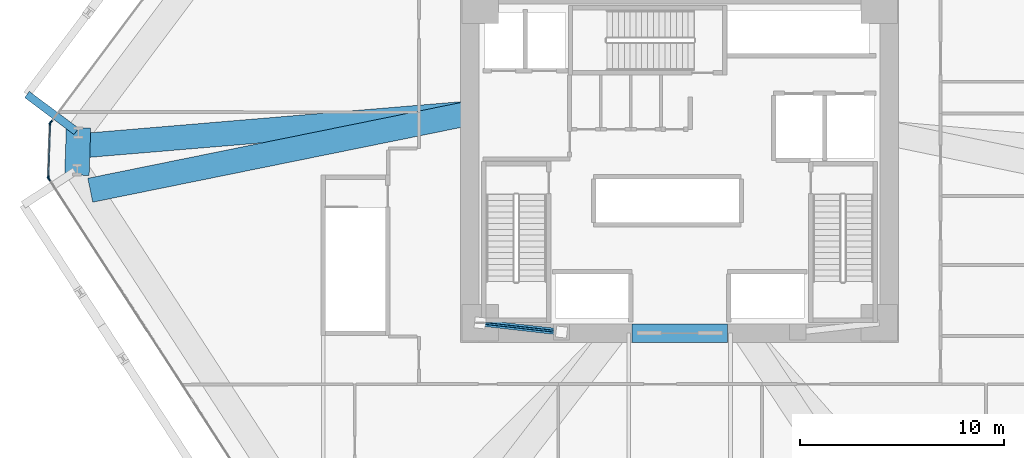
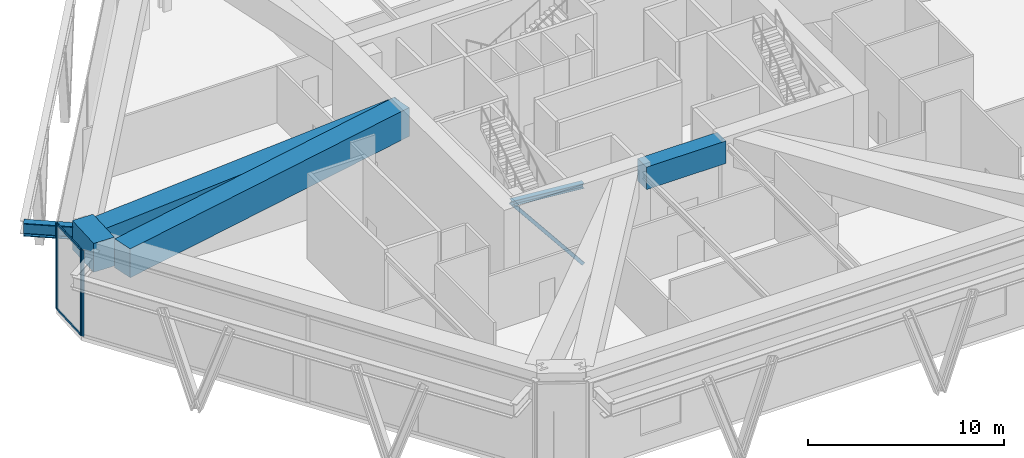
# One storey, part 4 of 19: 7 members, 6 beams, 3 elements without a shape of their own.
"""IFC4 building model written with IfcOpenShell, lengths in metres."""

from ifc_helpers import new_model, si_unit, direction, frame, origin, origin_2d, place, context, subcontext, project, spatial, rectangle, hollow_rectangle, i_section, extrude, source, transform, mapped, material, layer, layer_set, material_profile, profile_set, type_object, type_shapes, element, aggregate, save


model = new_model("IFC4")

# Units and contexts
model_context = context("Model", 3, precision=1e-05, world=origin(), true_north=direction((0.0, 1.0)))
body_context = subcontext(model_context, "Body", "Model", "MODEL_VIEW")
ifc_project = project(units=[si_unit("LENGTHUNIT", "METRE"), si_unit("AREAUNIT", "SQUARE_METRE"), si_unit("VOLUMEUNIT", "CUBIC_METRE"), si_unit("PLANEANGLEUNIT", "RADIAN"), si_unit("MASSUNIT", "GRAM", prefix="KILO")], contexts=[model_context])

# Site, building, storey
site_placement = place(None, origin())
site = spatial("IfcSite", under=ifc_project, at=site_placement, CompositionType="ELEMENT")
building_placement = place(site_placement, origin())
building = spatial("IfcBuilding", under=site, at=building_placement, Name="Durnholm Broadcast Tower", CompositionType="ELEMENT")
storey_placement = place(building_placement, frame((0.0, 0.0, 26.800048828125)))
storey = spatial("IfcBuildingStorey", under=building, at=storey_placement, Name="L05", CompositionType="ELEMENT", Elevation=26.800048828125)

# Beams
ifc_material_1 = material(Name="Concrete C70/85", Category="concrete")
ifc_material_profile_1 = material_profile(ifc_material_1, rectangle(XDim=0.89990234375, YDim=1.39990234375, at=origin_2d()), Name="RC900X1400")
ifc_profile_set_1 = profile_set([ifc_material_profile_1], Name="Concrete C70/85")
beam_type_1 = type_object("IfcBeamType", Name="BM-CB-RC1400", PredefinedType="LINTEL", material=ifc_profile_set_1)
shared_shape_1 = source(origin(), body_context, "Body", "SweptSolid", [
    extrude(rectangle(XDim=0.89990234375, YDim=1.39990234375, at=origin_2d()), origin(), (0.0, 0.0, 1.0), 4.7001953125),
])
type_shapes(beam_type_1, [shared_shape_1])
beam_1_placement = place(storey_placement, frame((-2.35009765625, -8.300048828125, 4.655029296875), z_axis=(1.0, 0.0, 0.0), x_axis=(0.0, 1.0, 0.0)))
element("IfcBeam", 1, at=beam_1_placement, inside=storey, type_object=beam_type_1, Name="L05 south core coupling lintel beam CB-S", PredefinedType="LINTEL", context=body_context, shape_type="MappedRepresentation", body=[
    mapped(shared_shape_1, transform((0.0, 0.0, 0.0), x_axis=(1.0, 0.0, 0.0), y_axis=(0.0, 1.0, 0.0), z_axis=(0.0, 0.0, 1.0), scale=1.0)),
])
ifc_material_2 = material(Name="Steel ASTM A992 Grade 50", Category="steel")
ifc_material_profile_2 = material_profile(ifc_material_2, i_section(OverallWidth=0.3046875, OverallDepth=0.307861328125, WebThickness=0.010009765625, FlangeThickness=0.015380859375, FilletRadius=0.019287109375, at=origin_2d()), Name="W12X65")
ifc_profile_set_2 = profile_set([ifc_material_profile_2], Name="Steel ASTM A992 Grade 50")
beam_type_2 = type_object("IfcBeamType", Name="STL-BL-W12X65", PredefinedType="LINTEL", material=ifc_profile_set_2)
shared_shape_2 = source(origin(), body_context, "Body", "SweptSolid", [
    extrude(i_section(OverallWidth=0.3046875, OverallDepth=0.307861328125, WebThickness=0.010009765625, FlangeThickness=0.015380859375, FilletRadius=0.019287109375, at=origin_2d()), origin(), (0.0, 0.0, 1.0), 4.025146484375),
])
type_shapes(beam_type_2, [shared_shape_2])
beam_2_placement = place(storey_placement, frame((-5.800048828125, -8.25, 5.191162109375), z_axis=(-0.993732663715, 0.111782794142, 0.0), x_axis=(-0.111782794142, -0.993732663715, 0.0)))
element("IfcBeam", 2, at=beam_2_placement, inside=storey, type_object=beam_type_2, Name="L05 west pilaster tie lintel", PredefinedType="LINTEL", context=body_context, shape_type="MappedRepresentation", body=[
    mapped(shared_shape_2, transform((0.0, 0.0, 0.0), x_axis=(1.0, 0.0, 0.0), y_axis=(0.0, 1.0, 0.0), z_axis=(0.0, 0.0, 1.0), scale=1.0)),
])
ifc_material_profile_3 = material_profile(ifc_material_2, i_section(OverallWidth=0.385009765625, OverallDepth=0.802978515625, WebThickness=0.023681640625, FlangeThickness=0.0419921875, FilletRadius=0.032958984375, at=origin_2d()), Name="W30X261")
ifc_profile_set_3 = profile_set([ifc_material_profile_3], Name="Steel ASTM A992 Grade 50")
beam_type_3 = type_object("IfcBeamType", Name="BM-EXO-TIE", PredefinedType="USERDEFINED", material=ifc_profile_set_3)
shared_shape_3 = source(origin(), body_context, "Body", "SweptSolid", [
    extrude(i_section(OverallWidth=0.385009765625, OverallDepth=0.802978515625, WebThickness=0.023681640625, FlangeThickness=0.0419921875, FilletRadius=0.032958984375, at=origin_2d()), origin(), (0.0, 0.0, 1.0), 3.024169921875),
])
type_shapes(beam_type_3, [shared_shape_3])
beam_3_placement = place(storey_placement, frame((-29.63037109375, 1.60595703125, 4.6083984375), z_axis=(-0.800609912919, 0.599185920509, 0.0), x_axis=(-0.599185920509, -0.800609912919, 0.0)))
element("IfcBeam", 3, at=beam_3_placement, inside=storey, type_object=beam_type_3, Name="L05 exoskeleton stand-off tie bracket F5.2", ObjectType="GIRDER", PredefinedType="USERDEFINED", context=body_context, shape_type="MappedRepresentation", body=[
    mapped(shared_shape_3, transform((0.0, 0.0, 0.0), x_axis=(1.0, 0.0, 0.0), y_axis=(0.0, 1.0, 0.0), z_axis=(0.0, 0.0, 1.0), scale=1.0)),
])
ifc_material_profile_4 = material_profile(ifc_material_1, rectangle(XDim=1.199951171875, YDim=1.800048828125, at=origin_2d()), Name="RC1200X1800")
ifc_profile_set_4 = profile_set([ifc_material_profile_4], Name="Concrete C70/85")
beam_type_4 = type_object("IfcBeamType", Name="BM-TG-RC1800", PredefinedType="USERDEFINED", material=ifc_profile_set_4)
shared_shape_4 = source(origin(), body_context, "Body", "SweptSolid", [
    extrude(rectangle(XDim=1.199951171875, YDim=1.800048828125, at=origin_2d()), origin(), (0.0, 0.0, 1.0), 2.3203125),
])
beam_4_placement = place(storey_placement, frame((-29.598876953125, -0.53857421875, 4.4599609375), z_axis=(0.033563561491, 0.999436584952, 0.0), x_axis=(-0.999436584952, 0.033563561491, 0.0)))
element("IfcBeam", 4, at=beam_4_placement, inside=storey, type_object=beam_type_4, Name="L05 perimeter transfer spandrel girder 02", PredefinedType="SPANDREL", context=body_context, shape_type="MappedRepresentation", body=[
    mapped(shared_shape_4, transform((0.0, 0.0, 0.0), x_axis=(1.0, 0.0, 0.0), y_axis=(0.0, 1.0, 0.0), z_axis=(0.0, 0.0, 1.0), scale=1.0)),
])
shared_shape_5 = source(origin(), body_context, "Body", "SweptSolid", [
    extrude(rectangle(XDim=1.199951171875, YDim=1.800048828125, at=origin_2d()), origin(), (0.0, 0.0, 1.0), 19.024658203125),
])
beam_5_placement = place(storey_placement, frame((-10.300048828125, 2.5, 4.4599609375), z_axis=(-0.980009961124, -0.198948425724, 0.0), x_axis=(0.198948425724, -0.980009961124, 0.0)))
element("IfcBeam", 5, at=beam_5_placement, inside=storey, type_object=beam_type_4, Name="L05 radial setback transfer girder 02", ObjectType="GIRDER", PredefinedType="USERDEFINED", context=body_context, shape_type="MappedRepresentation", body=[
    mapped(shared_shape_5, transform((0.0, 0.0, 0.0), x_axis=(1.0, 0.0, 0.0), y_axis=(0.0, 1.0, 0.0), z_axis=(0.0, 0.0, 1.0), scale=1.0)),
])
shared_shape_6 = source(origin(), body_context, "Body", "SweptSolid", [
    extrude(rectangle(XDim=1.199951171875, YDim=1.800048828125, at=origin_2d()), origin(), (0.0, 0.0, 1.0), 19.318603515625),
])
type_shapes(beam_type_4, [shared_shape_4, shared_shape_5, shared_shape_6])
beam_6_placement = place(storey_placement, frame((-10.300048828125, 2.5, 4.4599609375), z_axis=(-0.996497481106, -0.083622784869, 0.0), x_axis=(0.083622784869, -0.996497481106, 0.0)))
element("IfcBeam", 6, at=beam_6_placement, inside=storey, type_object=beam_type_4, Name="L05 radial setback transfer girder 03", ObjectType="GIRDER", PredefinedType="USERDEFINED", context=body_context, shape_type="MappedRepresentation", body=[
    mapped(shared_shape_6, transform((0.0, 0.0, 0.0), x_axis=(1.0, 0.0, 0.0), y_axis=(0.0, 1.0, 0.0), z_axis=(0.0, 0.0, 1.0), scale=1.0)),
])

# Member
ifc_material_3 = material(Name="Steel ASTM A500 Grade C", Category="steel")
ifc_material_profile_5 = material_profile(ifc_material_3, hollow_rectangle(XDim=0.1015625, YDim=0.203125, WallThickness=0.00732421875, InnerFilletRadius=0.010986328125, OuterFilletRadius=0.0185546875, at=origin_2d()), Name="HSS8X4X5/16")
ifc_profile_set_5 = profile_set([ifc_material_profile_5], Name="Steel ASTM A500 Grade C")
member_type_1 = type_object("IfcMemberType", Name="STL-STG-HSS8X4", PredefinedType="STRINGER", material=ifc_profile_set_5)
shared_shape_7 = source(origin(), body_context, "Body", "SweptSolid", [
    extrude(hollow_rectangle(XDim=0.1015625, YDim=0.203125, WallThickness=0.00732421875, InnerFilletRadius=0.010986328125, OuterFilletRadius=0.0185546875, at=origin_2d()), origin(), (0.0, 0.0, 1.0), 6.373291015625),
])
type_shapes(member_type_1, [shared_shape_7])
member_1_placement = place(storey_placement, frame((-5.800048828125, -8.25, 0.25), z_axis=(-0.627629268464, 0.070600631212, 0.775304490017), x_axis=(-0.111782794142, -0.993732663715, 0.0)))
element("IfcMember", 7, at=member_1_placement, inside=storey, type_object=member_type_1, Name="L05 core gallery steel stringer brace", PredefinedType="STRINGER", context=body_context, shape_type="MappedRepresentation", body=[
    mapped(shared_shape_7, transform((0.0, 0.0, 0.0), x_axis=(1.0, 0.0, 0.0), y_axis=(0.0, 1.0, 0.0), z_axis=(0.0, 0.0, 1.0), scale=1.0)),
])

# Curtain wall, members
ifc_material_4 = material(Name="Aluminium and Solar Control IGU", Category="aluminium")
ifc_layer_1 = layer(ifc_material_4, 0.1650390625)
ifc_layer_set_1 = layer_set([ifc_layer_1], Name="Aluminium and Solar Control IGU")
curtain_wall_type_1 = type_object("IfcCurtainWallType", Name="CW-SYS-5", PredefinedType="NOTDEFINED", material=ifc_layer_set_1)
curtain_wall_1_placement = place(storey_placement, origin())
curtain_wall_1 = element("IfcCurtainWall", 8, at=curtain_wall_1_placement, inside=storey, type_object=curtain_wall_type_1, Name="L05 curtain wall CW-CORNER CW-L05-CRN-01", PredefinedType="NOTDEFINED")
ifc_material_5 = material(Name="Aluminium 6063-T6", Category="aluminium")
ifc_material_profile_6 = material_profile(ifc_material_5, rectangle(XDim=0.06494140625, YDim=0.1298828125, at=origin_2d()), Name="CWT65X130")
ifc_profile_set_6 = profile_set([ifc_material_profile_6], Name="Aluminium 6063-T6")
member_type_2 = type_object("IfcMemberType", Name="CW-SYS-5-TRN", PredefinedType="USERDEFINED", material=ifc_profile_set_6)
shared_shape_8 = source(origin(), body_context, "Body", "SweptSolid", [
    extrude(rectangle(XDim=0.06494140625, YDim=0.1298828125, at=origin_2d()), origin(), (0.0, 0.0, 1.0), 2.570068359375),
])
type_shapes(member_type_2, [shared_shape_8])
member_2_placement = place(storey_placement, frame((-31.002197265625, -0.616455078125, 0.032470703125), z_axis=(0.033533074398, 0.999437608319, 0.0), x_axis=(-0.999437608319, 0.033533074398, 0.0)))
member_2 = element("IfcMember", 9, at=member_2_placement, type_object=member_type_2, Name="CW-CORNER transom 1.1", ObjectType="TRANSOM", PredefinedType="USERDEFINED", context=body_context, shape_type="MappedRepresentation", body=[
    mapped(shared_shape_8, transform((0.0, 0.0, 0.0), x_axis=(1.0, 0.0, 0.0), y_axis=(0.0, 1.0, 0.0), z_axis=(0.0, 0.0, 1.0), scale=1.0)),
])
member_3_placement = place(storey_placement, frame((-31.002197265625, -0.616455078125, 5.327392578125), z_axis=(0.033533074398, 0.999437608319, 0.0), x_axis=(-0.999437608319, 0.033533074398, 0.0)))
member_3 = element("IfcMember", 10, at=member_3_placement, type_object=member_type_2, Name="CW-CORNER transom 1.2", ObjectType="TRANSOM", PredefinedType="USERDEFINED", context=body_context, shape_type="MappedRepresentation", body=[
    mapped(shared_shape_8, transform((0.0, 0.0, 0.0), x_axis=(1.0, 0.0, 0.0), y_axis=(0.0, 1.0, 0.0), z_axis=(0.0, 0.0, 1.0), scale=1.0)),
])
ifc_material_profile_7 = material_profile(ifc_material_5, rectangle(XDim=0.06494140625, YDim=0.1650390625, at=origin_2d()), Name="CWM65X165")
ifc_profile_set_7 = profile_set([ifc_material_profile_7], Name="Aluminium 6063-T6")
member_type_3 = type_object("IfcMemberType", Name="CW-SYS-5-MUL", PredefinedType="MULLION", material=ifc_profile_set_7)
shared_shape_9 = source(origin(), body_context, "Body", "SweptSolid", [
    extrude(rectangle(XDim=0.06494140625, YDim=0.1650390625, at=origin_2d()), origin(), (0.0, 0.0, 1.0), 5.35986328125),
])
type_shapes(member_type_3, [shared_shape_9])
member_4_placement = place(storey_placement, frame((-31.00341796875, -0.64892578125, 0.0), z_axis=(0.0, 0.0, 1.0), x_axis=(-0.999436820621, 0.033556543118, 0.0)))
member_4 = element("IfcMember", 11, at=member_4_placement, type_object=member_type_3, Name="CW-CORNER mullion 1", PredefinedType="MULLION", context=body_context, shape_type="MappedRepresentation", body=[
    mapped(shared_shape_9, transform((0.0, 0.0, 0.0), x_axis=(1.0, 0.0, 0.0), y_axis=(0.0, 1.0, 0.0), z_axis=(0.0, 0.0, 1.0), scale=1.0)),
])
member_5_placement = place(storey_placement, frame((-30.9150390625, 1.984619140625, 0.0), z_axis=(0.0, 0.0, 1.0), x_axis=(-0.999436820621, 0.033556543118, 0.0)))
member_5 = element("IfcMember", 12, at=member_5_placement, type_object=member_type_3, Name="CW-CORNER mullion 2", PredefinedType="MULLION", context=body_context, shape_type="MappedRepresentation", body=[
    mapped(shared_shape_9, transform((0.0, 0.0, 0.0), x_axis=(1.0, 0.0, 0.0), y_axis=(0.0, 1.0, 0.0), z_axis=(0.0, 0.0, 1.0), scale=1.0)),
])
aggregate(curtain_wall_1, [member_4, member_5, member_2, member_3])

# Curtain wall, member
ifc_layer_2 = layer(ifc_material_4, 0.219970703125)
ifc_layer_set_2 = layer_set([ifc_layer_2], Name="Aluminium and Solar Control IGU")
curtain_wall_type_2 = type_object("IfcCurtainWallType", Name="CW-SYS-2", PredefinedType="NOTDEFINED", material=ifc_layer_set_2)
curtain_wall_2_placement = place(storey_placement, origin())
curtain_wall_2 = element("IfcCurtainWall", 13, at=curtain_wall_2_placement, inside=storey, type_object=curtain_wall_type_2, Name="L05 curtain wall CW-STUDIO CW-L05-F02", PredefinedType="NOTDEFINED")
ifc_material_profile_8 = material_profile(ifc_material_5, rectangle(XDim=0.074951171875, YDim=0.219970703125, at=origin_2d()), Name="CWM75X220")
ifc_profile_set_8 = profile_set([ifc_material_profile_8], Name="Aluminium 6063-T6")
member_type_4 = type_object("IfcMemberType", Name="CW-SYS-2-MUL", PredefinedType="MULLION", material=ifc_profile_set_8)
shared_shape_10 = source(origin(), body_context, "Body", "SweptSolid", [
    extrude(rectangle(XDim=0.074951171875, YDim=0.219970703125, at=origin_2d()), origin(), (0.0, 0.0, 1.0), 5.35986328125),
])
type_shapes(member_type_4, [shared_shape_10])
member_6_placement = place(storey_placement, frame((-30.891357421875, 2.047119140625, 0.0), z_axis=(0.0, 0.0, 1.0), x_axis=(-0.800631836327, 0.59915662615, 0.0)))
member_6 = element("IfcMember", 14, at=member_6_placement, type_object=member_type_4, Name="CW-STUDIO mullion 1", PredefinedType="MULLION", context=body_context, shape_type="MappedRepresentation", body=[
    mapped(shared_shape_10, transform((0.0, 0.0, 0.0), x_axis=(1.0, 0.0, 0.0), y_axis=(0.0, 1.0, 0.0), z_axis=(0.0, 0.0, 1.0), scale=1.0)),
])
aggregate(curtain_wall_2, [member_6])

curtain_wall_3_placement = place(storey_placement, origin())
curtain_wall_3 = element("IfcCurtainWall", 15, at=curtain_wall_3_placement, inside=storey, type_object=curtain_wall_type_2, Name="L05 curtain wall CW-STUDIO CW-L05-F12", PredefinedType="NOTDEFINED")
member_7_placement = place(storey_placement, frame((-30.984130859375, -0.712646484375, 0.0), z_axis=(0.0, 0.0, 1.0), x_axis=(-0.839009373297, -0.544116964926, 0.0)))
member_7 = element("IfcMember", 16, at=member_7_placement, type_object=member_type_4, Name="CW-STUDIO mullion 3", PredefinedType="MULLION", context=body_context, shape_type="MappedRepresentation", body=[
    mapped(shared_shape_10, transform((0.0, 0.0, 0.0), x_axis=(1.0, 0.0, 0.0), y_axis=(0.0, 1.0, 0.0), z_axis=(0.0, 0.0, 1.0), scale=1.0)),
])
aggregate(curtain_wall_3, [member_7])

save(model, "model.ifc")
